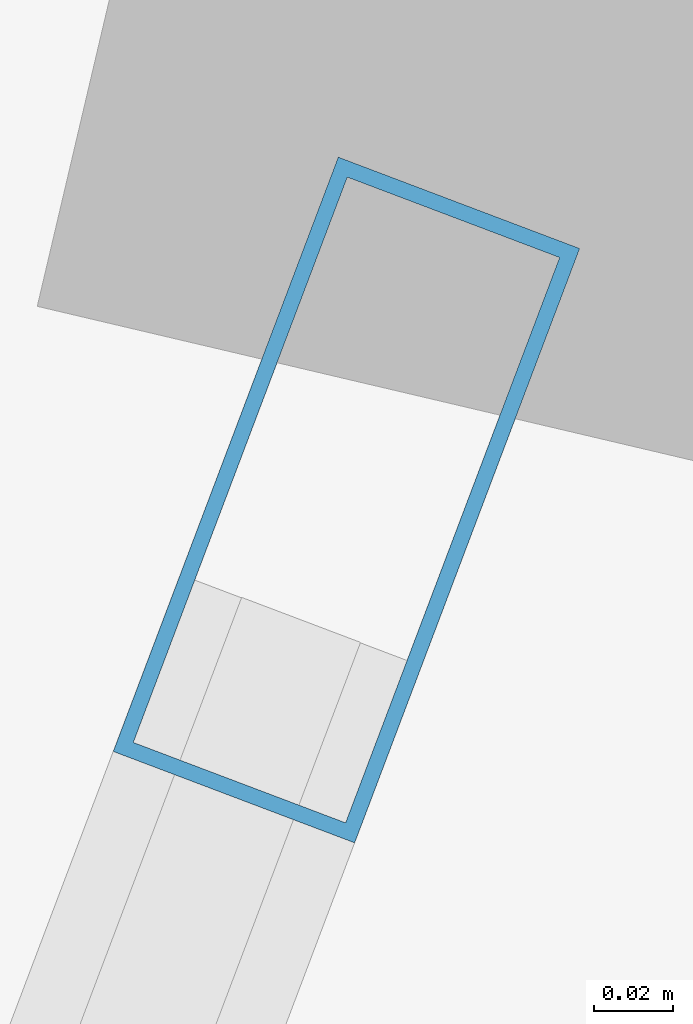
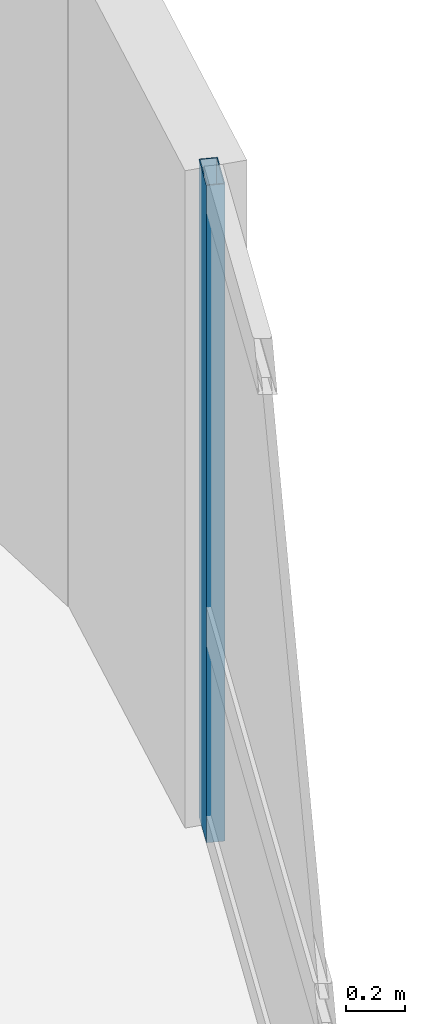
# One storey, part 15 of 24: 1 member, 1 element without a shape of its own.
"""IFC4 building model written with IfcOpenShell, lengths in metres."""

from ifc_helpers import new_model, si_unit, direction, frame, origin, origin_2d, place, context, subcontext, project, spatial, hollow_rectangle, extrude, material, layer, layer_set, material_profile, profile_set, type_object, element, aggregate, save


model = new_model("IFC4")

# Units and contexts
model_context = context("Model", 3, precision=1e-05, world=origin(), true_north=direction((0.0, 1.0)))
body_context = subcontext(model_context, "Body", "Model", "MODEL_VIEW")
ifc_project = project(units=[si_unit("LENGTHUNIT", "METRE"), si_unit("AREAUNIT", "SQUARE_METRE"), si_unit("VOLUMEUNIT", "CUBIC_METRE"), si_unit("PLANEANGLEUNIT", "RADIAN"), si_unit("MASSUNIT", "GRAM", prefix="KILO")], contexts=[model_context])

# Site, building, storey
site_placement = place(None, origin())
site = spatial("IfcSite", under=ifc_project, at=site_placement, CompositionType="ELEMENT")
building_placement = place(site_placement, origin())
building = spatial("IfcBuilding", under=site, at=building_placement, Name="Varnelok Gate Tower", CompositionType="ELEMENT")
storey_placement = place(building_placement, frame((0.0, 0.0, 102.10009765625)))
storey = spatial("IfcBuildingStorey", under=building, at=storey_placement, Name="L25", CompositionType="ELEMENT", Elevation=102.10009765625)

# Curtain wall, member
ifc_material = material(Name="Anodized Aluminum Alloy 6063-T6", Category="aluminium")
ifc_layer = layer(ifc_material, 0.179931640625)
ifc_layer_set = layer_set([ifc_layer], Name="Anodized Aluminum Alloy 6063-T6")
curtain_wall_type = type_object("IfcCurtainWallType", Name="CW3-HOTEL-VISION", PredefinedType="USERDEFINED", material=ifc_layer_set)
curtain_wall_placement = place(storey_placement, origin())
curtain_wall = element("IfcCurtainWall", 1, at=curtain_wall_placement, inside=storey, type_object=curtain_wall_type, Name="L25 East End Vision Curtain Wall", ObjectType="UNITISED CURTAIN WALL", PredefinedType="USERDEFINED")
ifc_material_profile = material_profile(ifc_material, hollow_rectangle(XDim=0.06494140625, YDim=0.159912109375, WallThickness=0.00390625, at=origin_2d()), Name="ALU160X65X4")
ifc_profile_set = profile_set([ifc_material_profile], Name="Anodized Aluminum Alloy 6063-T6")
member_type = type_object("IfcMemberType", Name="CW-MULL-160", PredefinedType="MULLION", material=ifc_profile_set)
member_placement = place(storey_placement, frame((80.443359375, 29.004638671875, 0.0), z_axis=(0.0, 0.0, 1.0), x_axis=(0.935221323688, -0.354063660545, 0.0)))
member = element("IfcMember", 2, at=member_placement, type_object=member_type, Name="CW3 mullion 1", PredefinedType="MULLION", context=body_context, shape_type="SweptSolid", body=[
    extrude(hollow_rectangle(XDim=0.06494140625, YDim=0.159912109375, WallThickness=0.00390625, at=origin_2d()), origin(), (0.0, 0.0, 1.0), 2.72998046875),
])
aggregate(curtain_wall, [member])

save(model, "model.ifc")
